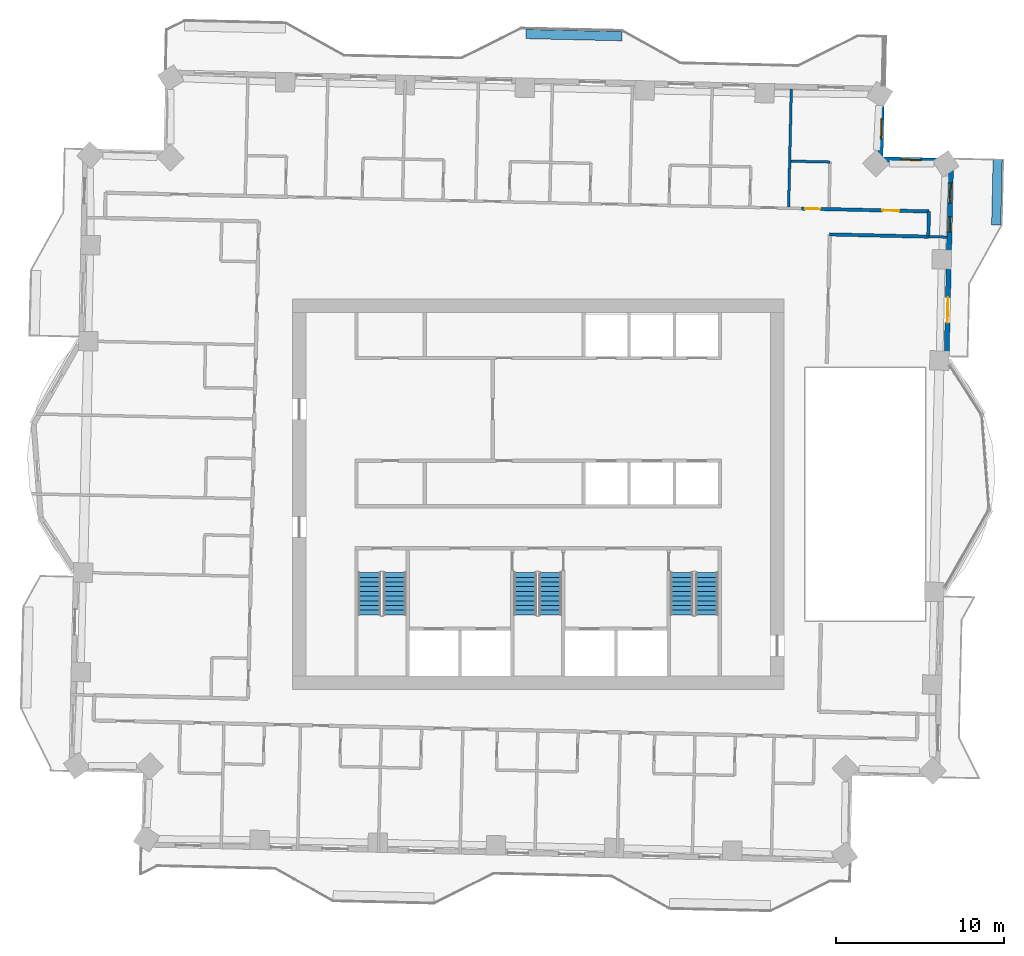
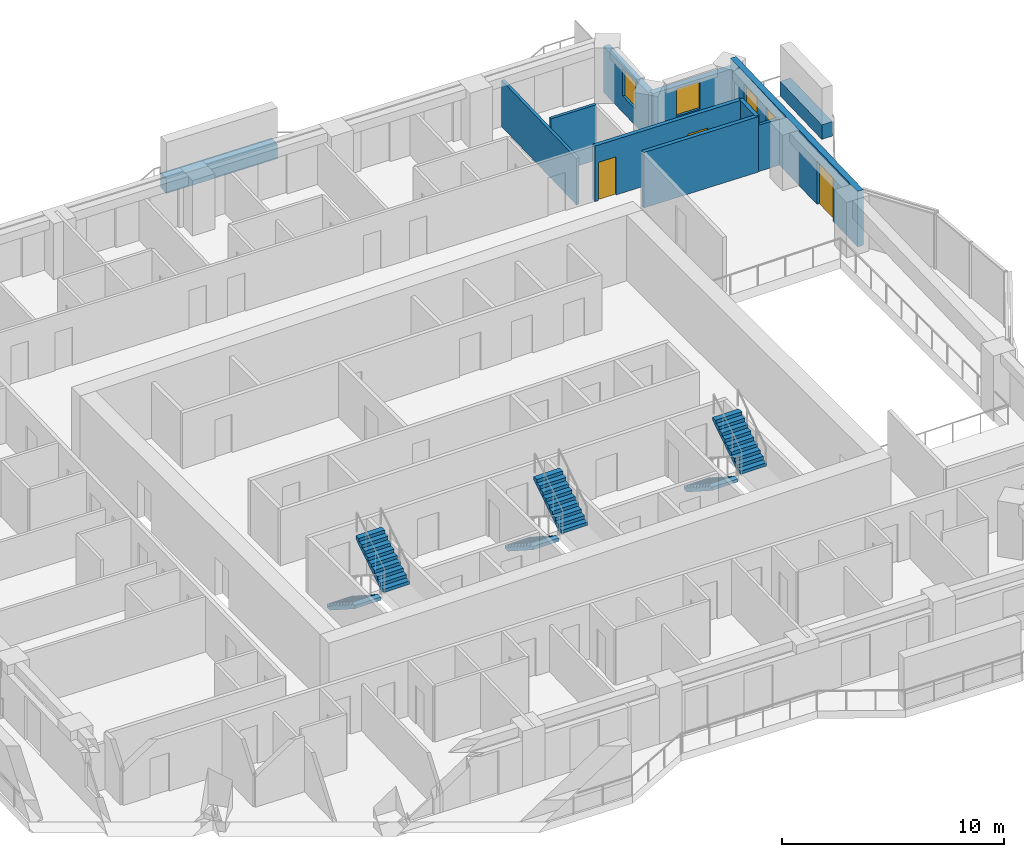
# One storey, part 12 of 16: 11 walls, 6 stair flights, 4 windows, 3 doors, 7 openings, 3 elements without a shape of their own.
"""IFC4 building model written with IfcOpenShell, lengths in metres."""

from ifc_helpers import new_model, si_unit, direction, frame, frame_2d, origin, place, context, subcontext, project, spatial, polyline, rectangle, outline, extrude, material, layer, layer_set, type_object, element, fill, aggregate, save


model = new_model("IFC4")

# Units and contexts
model_context = context("Model", 3, precision=1e-05, world=origin(), true_north=direction((0.0, 1.0)))
body_context = subcontext(model_context, "Body", "Model", "MODEL_VIEW")
ifc_project = project(units=[si_unit("LENGTHUNIT", "METRE"), si_unit("AREAUNIT", "SQUARE_METRE"), si_unit("VOLUMEUNIT", "CUBIC_METRE"), si_unit("PLANEANGLEUNIT", "RADIAN"), si_unit("MASSUNIT", "GRAM", prefix="KILO")], contexts=[model_context])

# Site, building, storey
site_placement = place(None, origin())
site = spatial("IfcSite", under=ifc_project, at=site_placement, CompositionType="ELEMENT")
building_placement = place(site_placement, origin())
building = spatial("IfcBuilding", under=site, at=building_placement, Name="Mangrove Gate Tower", CompositionType="ELEMENT")
storey_placement = place(building_placement, frame((0.0, 0.0, 197.89990234375)))
storey = spatial("IfcBuildingStorey", under=building, at=storey_placement, Name="L50", CompositionType="ELEMENT", Elevation=197.89990234375)

# Walls
ifc_material_1 = material(Name="Gypsum board on steel stud, EI 60", Category="steel")
ifc_layer_1 = layer(ifc_material_1, 0.199951171875)
ifc_layer_set_1 = layer_set([ifc_layer_1], Name="Corridor wall EI 60")
wall_type_1 = type_object("IfcWallType", Name="Corridor wall EI 60", PredefinedType="PARTITIONING", material=ifc_layer_set_1)
wall_1_placement = place(storey_placement, frame((17.322998046875, 15.444091796875, 0.0), z_axis=(0.0, 0.0, 1.0), x_axis=(0.999742758565, -0.022680756085, 0.0)))
element("IfcWall", 1, at=wall_1_placement, inside=storey, type_object=wall_type_1, Name="WALL-L50-050", PredefinedType="PARTITIONING", context=body_context, shape_type="SweptSolid", body=[
    extrude(rectangle(XDim=5.866455078125, YDim=0.199951171875, at=frame_2d((2.93310546875, 0.0))), origin(), (0.0, 0.0, 1.0), 3.050048828125),
])
wall_2_placement = place(storey_placement, frame((23.18603515625, 15.31494140625, 0.0), z_axis=(0.0, 0.0, 1.0), x_axis=(0.022617910375, 0.999744182344, 0.0)))
element("IfcWall", 2, at=wall_2_placement, inside=storey, type_object=wall_type_1, Name="WALL-L50-053", PredefinedType="PARTITIONING", context=body_context, shape_type="SweptSolid", body=[
    extrude(rectangle(XDim=1.50048828125, YDim=0.199951171875, at=frame_2d((0.750244140625, 0.0))), origin(), (0.0, 0.0, 1.0), 3.050048828125),
])

# Wall, openings, doors
wall_3_placement = place(storey_placement, frame((15.657958984375, 16.98193359375, 0.0), z_axis=(0.0, 0.0, 1.0), x_axis=(0.99974485859, -0.022587999516, 0.0)))
wall_3 = element("IfcWall", 3, at=wall_3_placement, inside=storey, type_object=wall_type_1, Name="WALL-L50-056", PredefinedType="PARTITIONING", context=body_context, shape_type="SweptSolid", body=[
    extrude(rectangle(XDim=7.56591796875, YDim=0.199951171875, at=frame_2d((3.782958984375, 0.0))), origin(), (0.0, 0.0, 1.0), 3.050048828125),
])
opening_1_placement = place(wall_3_placement, frame((4.7939453125, 0.0, 0.0)))
opening_1 = element("IfcOpeningElement", 4, at=opening_1_placement, cuts=wall_3, Name="Opening AD", PredefinedType="OPENING", context=body_context, shape_type="SweptSolid", body=[
    extrude(rectangle(XDim=1.0, YDim=2.10009765625, at=frame_2d((0.5, 1.050048828125))), frame((0.0, 0.10986328125, 0.0), z_axis=(0.0, -1.0, 0.0), x_axis=(1.0, 0.0, 0.0)), (0.0, 0.0, 1.0), 0.219970703125),
])
opening_2_placement = place(wall_3_placement, frame((0.199951171875, 0.0, 0.0)))
opening_2 = element("IfcOpeningElement", 5, at=opening_2_placement, cuts=wall_3, Name="Opening SD", PredefinedType="OPENING", context=body_context, shape_type="SweptSolid", body=[
    extrude(rectangle(XDim=0.89990234375, YDim=2.10009765625, at=frame_2d((0.449951171875, 1.050048828125))), frame((0.0, 0.10986328125, 0.0), z_axis=(0.0, -1.0, 0.0), x_axis=(1.0, 0.0, 0.0)), (0.0, 0.0, 1.0), 0.219970703125),
])
ifc_material_2 = material(Name="Timber door leaf", Category="wood")
door_type_1 = type_object("IfcDoorType", Name="Amenity door 1000", OperationType="SINGLE_SWING_LEFT", PredefinedType="DOOR", material=ifc_material_2)
door_1_placement = place(opening_1_placement, origin())
door_1 = element("IfcDoor", 6, at=door_1_placement, inside=storey, type_object=door_type_1, Name="DOOR-L50-KIT-c3a", OperationType="SINGLE_SWING_LEFT", OverallHeight=2.10009765625, OverallWidth=1.0, PredefinedType="DOOR", context=body_context, shape_type="SweptSolid", body=[
    extrude(rectangle(XDim=1.0, YDim=2.10009765625, at=frame_2d((0.5, 1.050048828125))), frame((0.0, 0.02490234375, 0.0), z_axis=(0.0, -1.0, 0.0), x_axis=(1.0, 0.0, 0.0)), (0.0, 0.0, 1.0), 0.050048828125),
])
fill(opening_1, door_1)
ifc_material_3 = material(Name="Timber door leaf", Category="wood")
door_type_2 = type_object("IfcDoorType", Name="Service room door 900", OperationType="SINGLE_SWING_LEFT", PredefinedType="DOOR", material=ifc_material_3)
door_2_placement = place(opening_2_placement, origin())
door_2 = element("IfcDoor", 7, at=door_2_placement, inside=storey, type_object=door_type_2, Name="DOOR-L50-WC-c3b", OperationType="SINGLE_SWING_LEFT", OverallHeight=2.10009765625, OverallWidth=0.89990234375, PredefinedType="DOOR", context=body_context, shape_type="SweptSolid", body=[
    extrude(rectangle(XDim=0.89990234375, YDim=2.10009765625, at=frame_2d((0.449951171875, 1.050048828125))), frame((0.0, 0.02490234375, 0.0), z_axis=(0.0, -1.0, 0.0), x_axis=(1.0, 0.0, 0.0)), (0.0, 0.0, 1.0), 0.050048828125),
])
fill(opening_2, door_2)

# Wall, openings, door, windows
ifc_material_4 = material(Name="Limestone", Category="masonry")
ifc_layer_2 = layer(ifc_material_4, 0.0400390625, Name="Limestone cladding")
ifc_material_5 = material(Name="Ventilated air gap")
ifc_layer_3 = layer(ifc_material_5, 0.0400390625, Name="Ventilated cavity")
ifc_material_6 = material(Name="Mineral wool insulation")
ifc_layer_4 = layer(ifc_material_6, 0.06005859375, Name="Insulation")
ifc_material_7 = material(Name="Breather membrane")
ifc_layer_5 = layer(ifc_material_7, 0.001953125, Name="Breather membrane")
ifc_material_8 = material(Name="Concrete C20/25 blockwork", Category="masonry")
ifc_layer_6 = layer(ifc_material_8, 0.14990234375, Name="Blockwork backing wall")
ifc_material_9 = material(Name="Gypsum plaster")
ifc_layer_7 = layer(ifc_material_9, 0.008056640625, Name="Internal plaster")
ifc_layer_set_2 = layer_set([ifc_layer_2, ifc_layer_3, ifc_layer_4, ifc_layer_5, ifc_layer_6, ifc_layer_7], Name="External wall 300 limestone cladding")
wall_type_2 = type_object("IfcWallType", Name="External wall 300 limestone cladding", PredefinedType="SOLIDWALL", material=ifc_layer_set_2)
wall_4_placement = place(storey_placement, frame((24.27001953125, 7.885009765625, 0.0), z_axis=(0.0, 0.0, 1.0), x_axis=(0.022715362207, 0.999741972871, 0.0)))
wall_4 = element("IfcWall", 8, at=wall_4_placement, inside=storey, type_object=wall_type_2, Name="WALL-L50-E2", PredefinedType="SOLIDWALL", context=body_context, shape_type="SweptSolid", body=[
    extrude(rectangle(XDim=11.93017578125, YDim=0.300048828125, at=frame_2d((5.965087890625, 0.0))), origin(), (0.0, 0.0, 1.0), 3.050048828125),
])
opening_3_placement = place(wall_4_placement, frame((2.31103515625, 0.0, 0.0)))
opening_3 = element("IfcOpeningElement", 9, at=opening_3_placement, cuts=wall_4, Name="Opening BD1", PredefinedType="OPENING", context=body_context, shape_type="SweptSolid", body=[
    extrude(rectangle(XDim=1.5, YDim=2.39990234375, at=frame_2d((0.75, 1.199951171875))), frame((0.0, 0.159912109375, 0.0), z_axis=(0.0, -1.0, 0.0), x_axis=(1.0, 0.0, 0.0)), (0.0, 0.0, 1.0), 0.320068359375),
])
opening_4_placement = place(wall_4_placement, frame((7.702880859375, 0.0, 0.89990234375)))
opening_4 = element("IfcOpeningElement", 10, at=opening_4_placement, cuts=wall_4, Name="Opening W5", PredefinedType="OPENING", context=body_context, shape_type="SweptSolid", body=[
    extrude(rectangle(XDim=0.89990234375, YDim=1.5, at=frame_2d((0.449951171875, 0.75))), frame((0.0, 0.159912109375, 0.0), z_axis=(0.0, -1.0, 0.0), x_axis=(1.0, 0.0, 0.0)), (0.0, 0.0, 1.0), 0.320068359375),
])
opening_5_placement = place(wall_4_placement, frame((9.426025390625, 0.0, 0.89990234375)))
opening_5 = element("IfcOpeningElement", 11, at=opening_5_placement, cuts=wall_4, Name="Opening W1", PredefinedType="OPENING", context=body_context, shape_type="SweptSolid", body=[
    extrude(rectangle(XDim=1.199951171875, YDim=1.5, at=frame_2d((0.60009765625, 0.75))), frame((0.0, 0.159912109375, 0.0), z_axis=(0.0, -1.0, 0.0), x_axis=(1.0, 0.0, 0.0)), (0.0, 0.0, 1.0), 0.320068359375),
])
ifc_material_10 = material(Name="Aluminium frame with laminated clear glass", Category="aluminium")
door_type_3 = type_object("IfcDoorType", Name="Balcony sliding door 1500x2400", OperationType="SLIDING_TO_LEFT", PredefinedType="DOOR", material=ifc_material_10)
door_3_placement = place(opening_3_placement, origin())
door_3 = element("IfcDoor", 12, at=door_3_placement, inside=storey, type_object=door_type_3, Name="DOOR-L50-E2-1", OperationType="SLIDING_TO_LEFT", OverallHeight=2.39990234375, OverallWidth=1.5, PredefinedType="DOOR", context=body_context, shape_type="SweptSolid", body=[
    extrude(rectangle(XDim=1.5, YDim=2.39990234375, at=frame_2d((0.75, 1.199951171875))), frame((0.0, 0.02490234375, 0.0), z_axis=(0.0, -1.0, 0.0), x_axis=(1.0, 0.0, 0.0)), (0.0, 0.0, 1.0), 0.050048828125),
])
fill(opening_3, door_3)
ifc_material_11 = material(Name="Aluminium frame with double-glazed low-e glass", Category="aluminium")
window_type_1 = type_object("IfcWindowType", Name="Narrow window 900x1500", PartitioningType="SINGLE_PANEL", PredefinedType="WINDOW", material=ifc_material_11)
window_1_placement = place(opening_4_placement, origin())
window_1 = element("IfcWindow", 13, at=window_1_placement, inside=storey, type_object=window_type_1, Name="WIN-L50-E2-2", OverallHeight=1.5, OverallWidth=0.89990234375, PartitioningType="SINGLE_PANEL", PredefinedType="WINDOW", context=body_context, shape_type="SweptSolid", body=[
    extrude(rectangle(XDim=0.89990234375, YDim=1.5, at=frame_2d((0.449951171875, 0.75))), frame((0.0, 0.030029296875, 0.0), z_axis=(0.0, -1.0, 0.0), x_axis=(1.0, 0.0, 0.0)), (0.0, 0.0, 1.0), 0.06005859375),
])
fill(opening_4, window_1)
ifc_material_12 = material(Name="Aluminium frame with double-glazed low-e glass", Category="aluminium")
window_type_2 = type_object("IfcWindowType", Name="Side lite 1200x1500", PartitioningType="SINGLE_PANEL", PredefinedType="WINDOW", material=ifc_material_12)
window_2_placement = place(opening_5_placement, origin())
window_2 = element("IfcWindow", 14, at=window_2_placement, inside=storey, type_object=window_type_2, Name="WIN-L50-E2-3", OverallHeight=1.5, OverallWidth=1.199951171875, PartitioningType="SINGLE_PANEL", PredefinedType="WINDOW", context=body_context, shape_type="SweptSolid", body=[
    extrude(rectangle(XDim=1.199951171875, YDim=1.5, at=frame_2d((0.60009765625, 0.75))), frame((0.0, 0.030029296875, 0.0), z_axis=(0.0, -1.0, 0.0), x_axis=(1.0, 0.0, 0.0)), (0.0, 0.0, 1.0), 0.06005859375),
])
fill(opening_5, window_2)

# Wall, opening, window
wall_5_placement = place(storey_placement, frame((24.541015625, 19.81201171875, 0.0), z_axis=(0.0, 0.0, 1.0), x_axis=(-0.999744320311, 0.022611811187, 0.0)))
wall_5 = element("IfcWall", 15, at=wall_5_placement, inside=storey, type_object=wall_type_2, Name="WALL-L50-N3", PredefinedType="SOLIDWALL", context=body_context, shape_type="SweptSolid", body=[
    extrude(rectangle(XDim=4.199951171875, YDim=0.300048828125, at=frame_2d((2.10009765625, 0.0))), origin(), (0.0, 0.0, 1.0), 2.550048828125),
])
opening_6_placement = place(wall_5_placement, frame((1.782958984375, 0.0, 0.89990234375)))
opening_6 = element("IfcOpeningElement", 16, at=opening_6_placement, cuts=wall_5, Name="Opening W1", PredefinedType="OPENING", context=body_context, shape_type="SweptSolid", body=[
    extrude(rectangle(XDim=1.199951171875, YDim=1.5, at=frame_2d((0.60009765625, 0.75))), frame((0.0, 0.159912109375, 0.0), z_axis=(0.0, -1.0, 0.0), x_axis=(1.0, 0.0, 0.0)), (0.0, 0.0, 1.0), 0.320068359375),
])
window_3_placement = place(opening_6_placement, origin())
window_3 = element("IfcWindow", 17, at=window_3_placement, inside=storey, type_object=window_type_2, Name="WIN-L50-N3-1", OverallHeight=1.5, OverallWidth=1.199951171875, PartitioningType="SINGLE_PANEL", PredefinedType="WINDOW", context=body_context, shape_type="SweptSolid", body=[
    extrude(rectangle(XDim=1.199951171875, YDim=1.5, at=frame_2d((0.60009765625, 0.75))), frame((0.0, 0.030029296875, 0.0), z_axis=(0.0, -1.0, 0.0), x_axis=(1.0, 0.0, 0.0)), (0.0, 0.0, 1.0), 0.06005859375),
])
fill(opening_6, window_3)

wall_6_placement = place(storey_placement, frame((20.342041015625, 19.906982421875, 0.0), z_axis=(0.0, 0.0, 1.0), x_axis=(0.022611811187, 0.999744320311, 0.0)))
wall_6 = element("IfcWall", 18, at=wall_6_placement, inside=storey, type_object=wall_type_2, Name="WALL-L50-E4", PredefinedType="SOLIDWALL", context=body_context, shape_type="SweptSolid", body=[
    extrude(rectangle(XDim=4.199951171875, YDim=0.300048828125, at=frame_2d((2.10009765625, 0.0))), origin(), (0.0, 0.0, 1.0), 2.550048828125),
])
opening_7_placement = place(wall_6_placement, frame((1.2119140625, 0.0, 0.89990234375)))
opening_7 = element("IfcOpeningElement", 19, at=opening_7_placement, cuts=wall_6, Name="Opening W1", PredefinedType="OPENING", context=body_context, shape_type="SweptSolid", body=[
    extrude(rectangle(XDim=1.199951171875, YDim=1.5, at=frame_2d((0.60009765625, 0.75))), frame((0.0, 0.159912109375, 0.0), z_axis=(0.0, -1.0, 0.0), x_axis=(1.0, 0.0, 0.0)), (0.0, 0.0, 1.0), 0.320068359375),
])
window_4_placement = place(opening_7_placement, origin())
window_4 = element("IfcWindow", 20, at=window_4_placement, inside=storey, type_object=window_type_2, Name="WIN-L50-E4-1", OverallHeight=1.5, OverallWidth=1.199951171875, PartitioningType="SINGLE_PANEL", PredefinedType="WINDOW", context=body_context, shape_type="SweptSolid", body=[
    extrude(rectangle(XDim=1.199951171875, YDim=1.5, at=frame_2d((0.60009765625, 0.75))), frame((0.0, 0.030029296875, 0.0), z_axis=(0.0, -1.0, 0.0), x_axis=(1.0, 0.0, 0.0)), (0.0, 0.0, 1.0), 0.06005859375),
])
fill(opening_7, window_4)

# Walls
ifc_material_13 = material(Name="Gypsum board on steel stud, EI 60", Category="steel")
ifc_layer_8 = layer(ifc_material_13, 0.14990234375)
ifc_layer_set_3 = layer_set([ifc_layer_8], Name="Party wall 150 EI 60")
wall_type_3 = type_object("IfcWallType", Name="Party wall 150 EI 60", PredefinedType="PARTITIONING", material=ifc_layer_set_3)
wall_7_placement = place(storey_placement, frame((23.18798828125, 15.31103515625, 0.0), z_axis=(0.0, 0.0, 1.0), x_axis=(0.999738848859, -0.022852441507, 0.0)))
element("IfcWall", 21, at=wall_7_placement, inside=storey, type_object=wall_type_3, Name="WALL-L50-051", PredefinedType="PARTITIONING", context=body_context, shape_type="SweptSolid", body=[
    extrude(rectangle(XDim=1.100341796875, YDim=0.14990234375, at=frame_2d((0.55029296875, 0.0))), origin(), (0.0, 0.0, 1.0), 2.550048828125),
])
wall_8_placement = place(storey_placement, frame((14.884033203125, 17.0791015625, 0.0), z_axis=(0.0, 0.0, 1.0), x_axis=(0.022703185001, 0.999742249478, 0.0)))
element("IfcWall", 22, at=wall_8_placement, inside=storey, type_object=wall_type_3, Name="WALL-L50-071", PredefinedType="PARTITIONING", context=body_context, shape_type="SweptSolid", body=[
    extrude(rectangle(XDim=7.00048828125, YDim=0.14990234375, at=frame_2d((3.500244140625, 0.0))), origin(), (0.0, 0.0, 1.0), 2.550048828125),
])
wall_9_placement = place(storey_placement, frame((15.01904296875, 19.798095703125, 0.0), z_axis=(0.0, 0.0, 1.0), x_axis=(0.999740260747, -0.02279059109, 0.0)))
element("IfcWall", 23, at=wall_9_placement, inside=storey, type_object=wall_type_3, Name="WALL-L50-077", PredefinedType="PARTITIONING", context=body_context, shape_type="SweptSolid", body=[
    extrude(rectangle(XDim=2.324462890625, YDim=0.14990234375, at=frame_2d((1.162109375, 0.0))), origin(), (0.0, 0.0, 1.0), 3.050048828125),
])
ifc_material_14 = material(Name="Concrete C32/40", Category="concrete")
ifc_layer_9 = layer(ifc_material_14, 0.199951171875, Name="Planter trough wall")
ifc_material_15 = material(Name="Bituminous waterproofing membrane")
ifc_layer_10 = layer(ifc_material_15, 0.0048828125, Name="Waterproofing")
ifc_material_16 = material(Name="Drainage board and gravel")
ifc_layer_11 = layer(ifc_material_16, 0.044921875, Name="Drainage layer")
ifc_material_17 = material(Name="Planting soil")
ifc_layer_12 = layer(ifc_material_17, 0.300048828125, Name="Growing medium")
ifc_layer_set_4 = layer_set([ifc_layer_9, ifc_layer_10, ifc_layer_11, ifc_layer_12], Name="Planter wall 550 C32/40")
wall_type_4 = type_object("IfcWallType", Name="Planter wall 550 C32/40", PredefinedType="USERDEFINED", material=ifc_layer_set_4)
wall_10_placement = place(storey_placement, frame((27.219970703125, 16.0, 0.0), z_axis=(0.0, 0.0, 1.0), x_axis=(0.022599111039, 0.999744607477, 0.0)))
element("IfcWall", 24, at=wall_10_placement, inside=storey, type_object=wall_type_4, Name="PLANTER L50 E1.1", ObjectType="PLANTER", PredefinedType="USERDEFINED", context=body_context, shape_type="SweptSolid", body=[
    extrude(rectangle(XDim=3.89990234375, YDim=0.550048828125, at=frame_2d((1.949951171875, 0.0))), origin(), (0.0, 0.0, 1.0), 0.800048828125),
])
wall_11_placement = place(storey_placement, frame((-0.716064453125, 27.35205078125, 0.0), z_axis=(0.0, 0.0, 1.0), x_axis=(0.999739330573, -0.02283135795, 0.0)))
element("IfcWall", 25, at=wall_11_placement, inside=storey, type_object=wall_type_4, Name="PLANTER L50 N0.1", ObjectType="PLANTER", PredefinedType="USERDEFINED", context=body_context, shape_type="SweptSolid", body=[
    extrude(rectangle(XDim=5.699462890625, YDim=0.550048828125, at=frame_2d((2.849609375, 0.0))), origin(), (0.0, 0.0, 1.0), 0.800048828125),
])

# Stair, stair flights
ifc_material_18 = material(Name="Concrete C40/50", Category="concrete")
stair_type = type_object("IfcStairType", Name="Core stair 1350", PredefinedType="HALF_TURN_STAIR", material=ifc_material_18)
stair_1_placement = place(storey_placement, origin())
stair_1 = element("IfcStair", 26, at=stair_1_placement, inside=storey, type_object=stair_type, Name="L50 Stair 1", PredefinedType="HALF_TURN_STAIR")
ifc_material_19 = material(Name="Concrete C40/50", Category="concrete")
stair_flight_type = type_object("IfcStairFlightType", Name="Core stair flight 1350", PredefinedType="STRAIGHT", material=ifc_material_19)
stair_flight_1_placement = place(storey_placement, frame((-10.02490234375, -4.64990234375, 0.0), z_axis=(0.0, 0.0, 1.0), x_axis=(0.0, -1.0, 0.0)))
stair_flight_1 = element("IfcStairFlight", 27, at=stair_flight_1_placement, type_object=stair_flight_type, Name="ST1 flight 1", NumberOfRisers=10, NumberOfTreads=9, PredefinedType="STRAIGHT", RiserHeight=0.18, TreadLength=0.28, context=body_context, shape_type="SweptSolid", body=[
    extrude(outline(polyline([(0.0, 0.0), (0.0, 0.179931640625), (0.280029296875, 0.179931640625), (0.280029296875, 0.360107421875), (0.56005859375, 0.360107421875), (0.56005859375, 0.5400390625), (0.840087890625, 0.5400390625), (0.840087890625, 0.719970703125), (1.1201171875, 0.719970703125), (1.1201171875, 0.89990234375), (1.39990234375, 0.89990234375), (1.39990234375, 1.080078125), (1.679931640625, 1.080078125), (1.679931640625, 1.260009765625), (1.9599609375, 1.260009765625), (1.9599609375, 1.43994140625), (2.239990234375, 1.43994140625), (2.239990234375, 1.6201171875), (2.52001953125, 1.6201171875), (2.52001953125, 1.800048828125), (2.52001953125, 1.44189453125), (0.277099609375, 0.0), (0.0, 0.0)])), frame((0.0, 0.675048828125, 0.0), z_axis=(0.0, -1.0, 0.0), x_axis=(1.0, 0.0, 0.0)), (0.0, 0.0, 1.0), 1.35009765625),
])
stair_flight_2_placement = place(storey_placement, frame((-8.52490234375, -7.169921875, 1.800048828125), z_axis=(0.0, 0.0, 1.0), x_axis=(0.0, 1.0, 0.0)))
stair_flight_2 = element("IfcStairFlight", 28, at=stair_flight_2_placement, type_object=stair_flight_type, Name="ST1 flight 2", NumberOfRisers=10, NumberOfTreads=9, PredefinedType="STRAIGHT", RiserHeight=0.18, TreadLength=0.28, context=body_context, shape_type="SweptSolid", body=[
    extrude(outline(polyline([(0.0, 0.0), (0.0, 0.179931640625), (0.280029296875, 0.179931640625), (0.280029296875, 0.360107421875), (0.56005859375, 0.360107421875), (0.56005859375, 0.5400390625), (0.840087890625, 0.5400390625), (0.840087890625, 0.719970703125), (1.1201171875, 0.719970703125), (1.1201171875, 0.89990234375), (1.39990234375, 0.89990234375), (1.39990234375, 1.080078125), (1.679931640625, 1.080078125), (1.679931640625, 1.260009765625), (1.9599609375, 1.260009765625), (1.9599609375, 1.43994140625), (2.239990234375, 1.43994140625), (2.239990234375, 1.6201171875), (2.52001953125, 1.6201171875), (2.52001953125, 1.800048828125), (2.52001953125, 1.44189453125), (0.277099609375, 0.0), (0.0, 0.0)])), frame((0.0, 0.675048828125, 0.0), z_axis=(0.0, -1.0, 0.0), x_axis=(1.0, 0.0, 0.0)), (0.0, 0.0, 1.0), 1.35009765625),
])
aggregate(stair_1, [stair_flight_1, stair_flight_2])

stair_2_placement = place(storey_placement, origin())
stair_2 = element("IfcStair", 29, at=stair_2_placement, inside=storey, type_object=stair_type, Name="L50 Stair 2", PredefinedType="HALF_TURN_STAIR")
stair_flight_3_placement = place(storey_placement, frame((-0.77490234375, -4.64990234375, 0.0), z_axis=(0.0, 0.0, 1.0), x_axis=(0.0, -1.0, 0.0)))
stair_flight_3 = element("IfcStairFlight", 30, at=stair_flight_3_placement, type_object=stair_flight_type, Name="ST2 flight 1", NumberOfRisers=10, NumberOfTreads=9, PredefinedType="STRAIGHT", RiserHeight=0.18, TreadLength=0.28, context=body_context, shape_type="SweptSolid", body=[
    extrude(outline(polyline([(0.0, 0.0), (0.0, 0.179931640625), (0.280029296875, 0.179931640625), (0.280029296875, 0.360107421875), (0.56005859375, 0.360107421875), (0.56005859375, 0.5400390625), (0.840087890625, 0.5400390625), (0.840087890625, 0.719970703125), (1.1201171875, 0.719970703125), (1.1201171875, 0.89990234375), (1.39990234375, 0.89990234375), (1.39990234375, 1.080078125), (1.679931640625, 1.080078125), (1.679931640625, 1.260009765625), (1.9599609375, 1.260009765625), (1.9599609375, 1.43994140625), (2.239990234375, 1.43994140625), (2.239990234375, 1.6201171875), (2.52001953125, 1.6201171875), (2.52001953125, 1.800048828125), (2.52001953125, 1.44189453125), (0.277099609375, 0.0), (0.0, 0.0)])), frame((0.0, 0.675048828125, 0.0), z_axis=(0.0, -1.0, 0.0), x_axis=(1.0, 0.0, 0.0)), (0.0, 0.0, 1.0), 1.35009765625),
])
stair_flight_4_placement = place(storey_placement, frame((0.72509765625, -7.169921875, 1.800048828125), z_axis=(0.0, 0.0, 1.0), x_axis=(0.0, 1.0, 0.0)))
stair_flight_4 = element("IfcStairFlight", 31, at=stair_flight_4_placement, type_object=stair_flight_type, Name="ST2 flight 2", NumberOfRisers=10, NumberOfTreads=9, PredefinedType="STRAIGHT", RiserHeight=0.18, TreadLength=0.28, context=body_context, shape_type="SweptSolid", body=[
    extrude(outline(polyline([(0.0, 0.0), (0.0, 0.179931640625), (0.280029296875, 0.179931640625), (0.280029296875, 0.360107421875), (0.56005859375, 0.360107421875), (0.56005859375, 0.5400390625), (0.840087890625, 0.5400390625), (0.840087890625, 0.719970703125), (1.1201171875, 0.719970703125), (1.1201171875, 0.89990234375), (1.39990234375, 0.89990234375), (1.39990234375, 1.080078125), (1.679931640625, 1.080078125), (1.679931640625, 1.260009765625), (1.9599609375, 1.260009765625), (1.9599609375, 1.43994140625), (2.239990234375, 1.43994140625), (2.239990234375, 1.6201171875), (2.52001953125, 1.6201171875), (2.52001953125, 1.800048828125), (2.52001953125, 1.44189453125), (0.277099609375, 0.0), (0.0, 0.0)])), frame((0.0, 0.675048828125, 0.0), z_axis=(0.0, -1.0, 0.0), x_axis=(1.0, 0.0, 0.0)), (0.0, 0.0, 1.0), 1.35009765625),
])
aggregate(stair_2, [stair_flight_3, stair_flight_4])

stair_3_placement = place(storey_placement, origin())
stair_3 = element("IfcStair", 32, at=stair_3_placement, inside=storey, type_object=stair_type, Name="L50 Stair 3", PredefinedType="HALF_TURN_STAIR")
stair_flight_5_placement = place(storey_placement, frame((8.52490234375, -4.64990234375, 0.0), z_axis=(0.0, 0.0, 1.0), x_axis=(0.0, -1.0, 0.0)))
stair_flight_5 = element("IfcStairFlight", 33, at=stair_flight_5_placement, type_object=stair_flight_type, Name="ST3 flight 1", NumberOfRisers=10, NumberOfTreads=9, PredefinedType="STRAIGHT", RiserHeight=0.18, TreadLength=0.28, context=body_context, shape_type="SweptSolid", body=[
    extrude(outline(polyline([(0.0, 0.0), (0.0, 0.179931640625), (0.280029296875, 0.179931640625), (0.280029296875, 0.360107421875), (0.56005859375, 0.360107421875), (0.56005859375, 0.5400390625), (0.840087890625, 0.5400390625), (0.840087890625, 0.719970703125), (1.1201171875, 0.719970703125), (1.1201171875, 0.89990234375), (1.39990234375, 0.89990234375), (1.39990234375, 1.080078125), (1.679931640625, 1.080078125), (1.679931640625, 1.260009765625), (1.9599609375, 1.260009765625), (1.9599609375, 1.43994140625), (2.239990234375, 1.43994140625), (2.239990234375, 1.6201171875), (2.52001953125, 1.6201171875), (2.52001953125, 1.800048828125), (2.52001953125, 1.44189453125), (0.277099609375, 0.0), (0.0, 0.0)])), frame((0.0, 0.675048828125, 0.0), z_axis=(0.0, -1.0, 0.0), x_axis=(1.0, 0.0, 0.0)), (0.0, 0.0, 1.0), 1.35009765625),
])
stair_flight_6_placement = place(storey_placement, frame((10.02490234375, -7.169921875, 1.800048828125), z_axis=(0.0, 0.0, 1.0), x_axis=(0.0, 1.0, 0.0)))
stair_flight_6 = element("IfcStairFlight", 34, at=stair_flight_6_placement, type_object=stair_flight_type, Name="ST3 flight 2", NumberOfRisers=10, NumberOfTreads=9, PredefinedType="STRAIGHT", RiserHeight=0.18, TreadLength=0.28, context=body_context, shape_type="SweptSolid", body=[
    extrude(outline(polyline([(0.0, 0.0), (0.0, 0.179931640625), (0.280029296875, 0.179931640625), (0.280029296875, 0.360107421875), (0.56005859375, 0.360107421875), (0.56005859375, 0.5400390625), (0.840087890625, 0.5400390625), (0.840087890625, 0.719970703125), (1.1201171875, 0.719970703125), (1.1201171875, 0.89990234375), (1.39990234375, 0.89990234375), (1.39990234375, 1.080078125), (1.679931640625, 1.080078125), (1.679931640625, 1.260009765625), (1.9599609375, 1.260009765625), (1.9599609375, 1.43994140625), (2.239990234375, 1.43994140625), (2.239990234375, 1.6201171875), (2.52001953125, 1.6201171875), (2.52001953125, 1.800048828125), (2.52001953125, 1.44189453125), (0.277099609375, 0.0), (0.0, 0.0)])), frame((0.0, 0.675048828125, 0.0), z_axis=(0.0, -1.0, 0.0), x_axis=(1.0, 0.0, 0.0)), (0.0, 0.0, 1.0), 1.35009765625),
])
aggregate(stair_3, [stair_flight_5, stair_flight_6])

save(model, "model.ifc")
